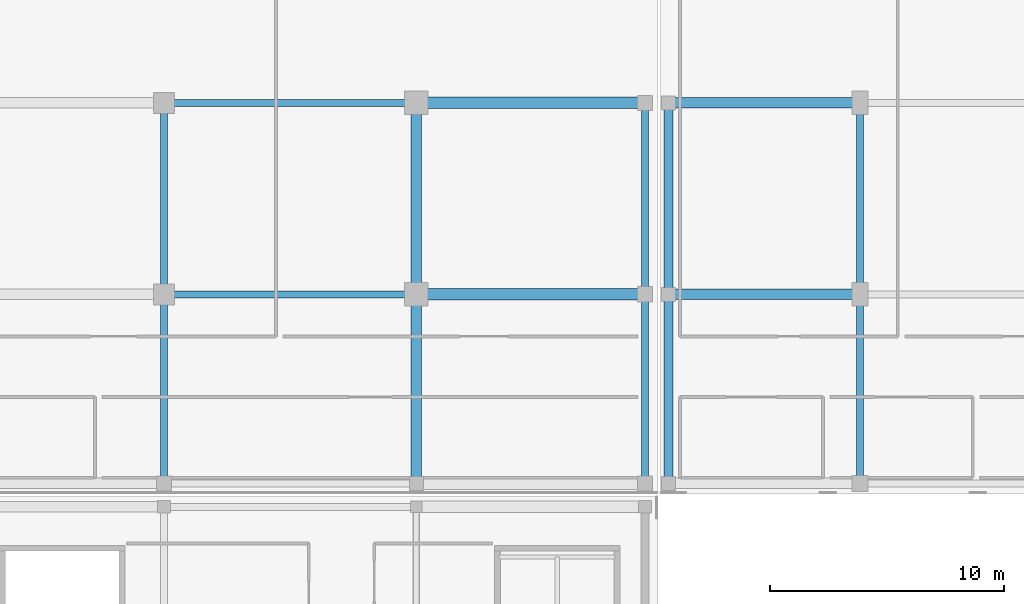
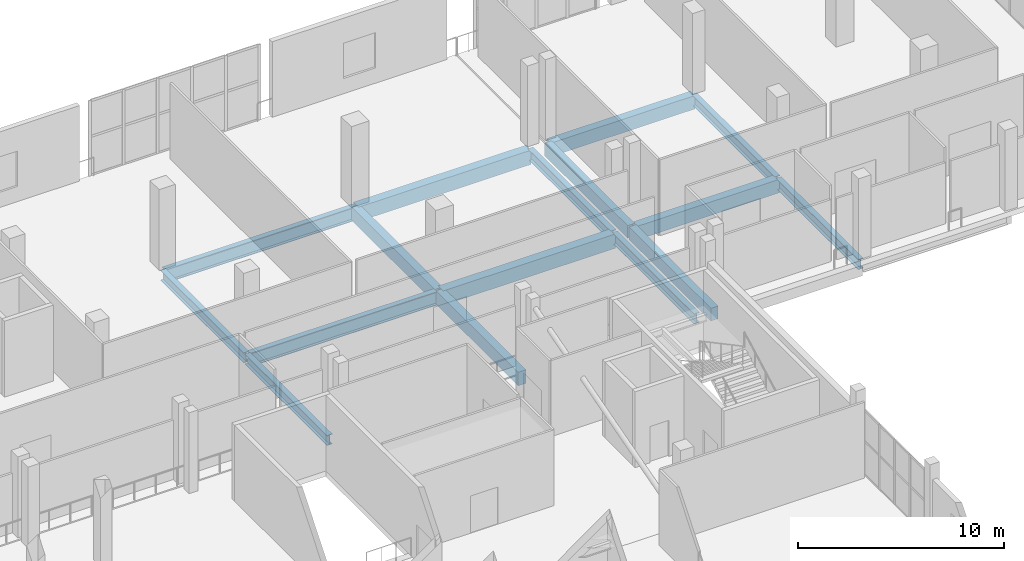
# One storey, part 56 of 129: 16 beams.
"""IFC4 building model written with IfcOpenShell, lengths in metres."""

import ifcopenshell
import ifcopenshell.guid

model = None  # the IFC model being written
_history = None  # IfcOwnerHistory: only IFC2X3 demands one
_inside = {}  # id of a spatial element -> (the spatial element, [elements in it])
_under = {}  # id of a project, library or spatial element -> (it, [spatial elements below it])
_declared = {}  # id of a project -> (the project, [libraries it declares])
_typed = {}  # id of a type object -> (the type object, [elements of that type])
_made_of = {}  # id of a material, layer set ... -> (it, [elements and type objects made of it])


def new_model(schema):
    """Start an empty IFC model of exactly this schema.

    Asked for "IFC4X3", IfcOpenShell would pick the latest addendum, in which some entities
    have other attributes; the version numbers below select the first issue.
    IFC2X3 requires an IfcOwnerHistory on every rooted entity: one is made here for all.
    """
    global model, _history
    if schema == "IFC4X3":
        model = ifcopenshell.file(schema_version=(4, 3, 0, 0))
    else:
        model = ifcopenshell.file(schema=schema)
    _inside.clear()
    _under.clear()
    _declared.clear()
    _typed.clear()
    _made_of.clear()
    _history = None
    if model.schema == "IFC2X3":
        org = make("IfcOrganization", Name="unknown")
        user = make(
            "IfcPersonAndOrganization",
            ThePerson=make("IfcPerson", FamilyName="unknown"),
            TheOrganization=org,
        )
        app = make(
            "IfcApplication",
            ApplicationDeveloper=org,
            Version="unknown",
            ApplicationFullName="unknown",
            ApplicationIdentifier="unknown",
        )
        _history = make(
            "IfcOwnerHistory",
            OwningUser=user,
            OwningApplication=app,
            ChangeAction="ADDED",
            CreationDate=0,
        )
    return model


def make(cls, **values):
    """One entity of the class cls with the attributes given. An attribute that is None is left unset."""
    return model.create_entity(
        cls, **{name: value for name, value in values.items() if value is not None}
    )


def rooted(cls, **values):
    """An entity with a GlobalId (a new one), such as an element, a storey or a relation."""
    return make(cls, GlobalId=ifcopenshell.guid.new(), OwnerHistory=_history, **values)


def si_unit(unit_type, name, prefix=None):
    """IfcSIUnit, for example si_unit("LENGTHUNIT", "METRE", prefix="MILLI")."""
    return make("IfcSIUnit", UnitType=unit_type, Prefix=prefix, Name=name)


def assignment(units):
    """IfcUnitAssignment: the units of a project."""
    return None if units is None else make("IfcUnitAssignment", Units=units)


def point(xyz):
    """IfcCartesianPoint."""
    return None if xyz is None else make("IfcCartesianPoint", Coordinates=xyz)


def direction(xyz):
    """IfcDirection."""
    return None if xyz is None else make("IfcDirection", DirectionRatios=xyz)


def frame(location, z_axis=None, x_axis=None):
    """IfcAxis2Placement3D, a coordinate frame: its origin and axes. An axis left out is left unset."""
    return make(
        "IfcAxis2Placement3D",
        Location=point(location),
        Axis=direction(z_axis),
        RefDirection=direction(x_axis),
    )


def frame_2d(location, x_axis=None):
    """IfcAxis2Placement2D, a coordinate frame in the plane: its origin and x axis."""
    return make(
        "IfcAxis2Placement2D", Location=point(location), RefDirection=direction(x_axis)
    )


def origin():
    """The frame at (0, 0, 0) with its axes left unset."""
    return frame((0.0, 0.0, 0.0))


def origin_2d():
    """The frame at (0, 0) in the plane with its x axis left unset."""
    return frame_2d((0.0, 0.0))


def place(relative_to, where):
    """IfcLocalPlacement: puts the frame where relative to a parent placement (None: the world)."""
    return make(
        "IfcLocalPlacement", PlacementRelTo=relative_to, RelativePlacement=where
    )


def context(
    kind, dimensions, precision=None, world=None, true_north=None, identifier=None
):
    """IfcGeometricRepresentationContext, for example the 3D "Model" context."""
    return make(
        "IfcGeometricRepresentationContext",
        ContextIdentifier=identifier,
        ContextType=kind,
        CoordinateSpaceDimension=dimensions,
        Precision=precision,
        WorldCoordinateSystem=world,
        TrueNorth=true_north,
    )


def subcontext(parent, identifier, kind, view, scale=None):
    """IfcGeometricRepresentationSubContext, for example "Body" below "Model"."""
    return make(
        "IfcGeometricRepresentationSubContext",
        ContextIdentifier=identifier,
        ContextType=kind,
        ParentContext=parent,
        TargetScale=scale,
        TargetView=view,
    )


def project(units=None, contexts=None):
    """IfcProject with its units and contexts."""
    return rooted(
        "IfcProject",
        Name="project",
        RepresentationContexts=contexts,
        UnitsInContext=assignment(units),
    )


def spatial(cls, under=None, at=None, **own):
    """A site, building, storey or space (cls), placed at a placement, below another one or the project."""
    s = rooted(cls, ObjectPlacement=at, **own)
    if under is not None:
        _under.setdefault(under.id(), (under, []))[1].append(s)
    return s


def profile(cls, at=None, kind="AREA", **sizes):
    """A parametric profile (cls). Its sizes go by their IFC names, for example OverallWidth=200.0."""
    return make(cls, ProfileType=kind, Position=at, **sizes)


def rectangle(**sizes):
    """IfcRectangleProfileDef."""
    return profile("IfcRectangleProfileDef", **sizes)


def i_section(**sizes):
    """IfcIShapeProfileDef."""
    return profile("IfcIShapeProfileDef", **sizes)


def extrude(swept, where, along, depth):
    """IfcExtrudedAreaSolid: the profile swept, set in the frame where, extruded along a direction by depth."""
    return make(
        "IfcExtrudedAreaSolid",
        SweptArea=swept,
        Position=where,
        ExtrudedDirection=direction(along),
        Depth=depth,
    )


def shape(context_of_items, identifier, shape_type, items):
    """IfcShapeRepresentation: the items that make up one representation, for example the "Body"."""
    return make(
        "IfcShapeRepresentation",
        ContextOfItems=context_of_items,
        RepresentationIdentifier=identifier,
        RepresentationType=shape_type,
        Items=items,
    )


def material(Name=None, Category=None):
    """IfcMaterial."""
    return make("IfcMaterial", Name=Name, Category=Category)


def material_profile(
    of_material, cross_section, Name=None, Category=None, Priority=None
):
    """IfcMaterialProfile: a cross section and its material."""
    return make(
        "IfcMaterialProfile",
        Name=Name,
        Material=of_material,
        Profile=cross_section,
        Priority=Priority,
        Category=Category,
    )


def profile_set(profiles, Name=None, composite=None):
    """IfcMaterialProfileSet."""
    return make(
        "IfcMaterialProfileSet",
        Name=Name,
        MaterialProfiles=profiles,
        CompositeProfile=composite,
    )


def made_of(thing, what):
    """Note that an element or type object is made of a material, layer set ...; save() writes the relation."""
    if what is not None:
        _made_of.setdefault(what.id(), (what, []))[1].append(thing)
    return thing


def type_object(cls, material=None, **own):
    """A type object (cls), such as IfcWallType, which elements share."""
    return made_of(rooted(cls, **own), material)


def element(
    cls,
    number,
    at=None,
    inside=None,
    cuts=None,
    type_object=None,
    material=None,
    context=None,
    identifier="Body",
    shape_type=None,
    held_by="IfcProductDefinitionShape",
    body=None,
    shapes=None,
    **own,
):
    """One element of the class cls, such as IfcWall. Its Tag is "e" and its number.

    at: its placement. inside: the storey or other place that contains it. cuts: it is an
    opening in that element (IfcRelVoidsElement). A single representation is given by context,
    identifier, shape_type and body (its items); several are given by shapes. held_by: the class
    of the entity that holds the representations. save() writes the other relations.
    """
    e = rooted(cls, Tag="e%d" % number, ObjectPlacement=at, **own)
    if body is not None:
        shapes = [shape(context, identifier, shape_type, body)]
    if shapes is not None:
        e.Representation = make(held_by, Representations=shapes)
    if inside is not None:
        _inside.setdefault(inside.id(), (inside, []))[1].append(e)
    if cuts is not None:
        rooted(
            "IfcRelVoidsElement", RelatingBuildingElement=cuts, RelatedOpeningElement=e
        )
    if type_object is not None:
        _typed.setdefault(type_object.id(), (type_object, []))[1].append(e)
    return made_of(e, material)


def aggregate(whole, parts):
    """IfcRelAggregates: a whole, such as a stair, and the parts it consists of."""
    return rooted("IfcRelAggregates", RelatingObject=whole, RelatedObjects=parts)


def save(model, path):
    """Write the relations noted so far, then the file.

    IfcRelAggregates (storeys below a building ...), IfcRelContainedInSpatialStructure (elements
    in a storey), IfcRelDefinesByType, IfcRelAssociatesMaterial and IfcRelDeclares: one each for
    every whole, place, type object, material and project.
    """
    for whole, parts in _under.values():
        aggregate(whole, parts)
    for where, things in _inside.values():
        rooted(
            "IfcRelContainedInSpatialStructure",
            RelatedElements=things,
            RelatingStructure=where,
        )
    for kind, things in _typed.values():
        rooted("IfcRelDefinesByType", RelatedObjects=things, RelatingType=kind)
    for what, things in _made_of.values():
        rooted("IfcRelAssociatesMaterial", RelatedObjects=things, RelatingMaterial=what)
    for by, libraries in _declared.values():
        rooted("IfcRelDeclares", RelatingContext=by, RelatedDefinitions=libraries)
    model.write(path)


model = new_model("IFC4")

# Units and contexts
model_context = context("Model", 3, precision=1e-05, world=origin(), true_north=direction((0.0, 1.0)))
body_context = subcontext(model_context, "Body", "Model", "MODEL_VIEW")
ifc_project = project(units=[si_unit("LENGTHUNIT", "METRE"), si_unit("AREAUNIT", "SQUARE_METRE"), si_unit("VOLUMEUNIT", "CUBIC_METRE"), si_unit("PLANEANGLEUNIT", "RADIAN"), si_unit("MASSUNIT", "GRAM", prefix="KILO")], contexts=[model_context])

# Site, building, storey
site_placement = place(None, origin())
site = spatial("IfcSite", under=ifc_project, at=site_placement, CompositionType="ELEMENT")
building_placement = place(site_placement, origin())
building = spatial("IfcBuilding", under=site, at=building_placement, Name="Koshinbarg Plaza Stadium", CompositionType="ELEMENT")
storey_placement = place(building_placement, frame((0.0, 0.0, 5.39990234375)))
storey = spatial("IfcBuildingStorey", under=building, at=storey_placement, Name="L01", CompositionType="ELEMENT", Elevation=5.39990234375)

# Beams
ifc_material_1 = material(Name="Concrete C40/50", Category="concrete")
ifc_material_profile_1 = material_profile(ifc_material_1, rectangle(XDim=0.39990234375, YDim=0.75, at=origin_2d()), Name="RC 400x750")
ifc_profile_set_1 = profile_set([ifc_material_profile_1], Name="Concrete C40/50")
beam_type_1 = type_object("IfcBeamType", Name="BM-RCG-03", PredefinedType="USERDEFINED", material=ifc_profile_set_1)
beam_1_placement = place(storey_placement, frame((219.39990234375, 127.56005859375, -0.69482421875), z_axis=(0.0, 1.0, 0.0), x_axis=(-1.0, 0.0, 0.0)))
element("IfcBeam", 1, at=beam_1_placement, inside=storey, type_object=beam_type_1, Name="L01 Y girder 22/S-T", ObjectType="GIRDER", PredefinedType="USERDEFINED", context=body_context, shape_type="SweptSolid", body=[
    extrude(rectangle(XDim=0.39990234375, YDim=0.75, at=origin_2d()), origin(), (0.0, 0.0, 1.0), 7.97998046875),
])
beam_2_placement = place(storey_placement, frame((219.39990234375, 135.659912109375, -0.69482421875), z_axis=(0.0, 1.0, 0.0), x_axis=(-1.0, 0.0, 0.0)))
element("IfcBeam", 2, at=beam_2_placement, inside=storey, type_object=beam_type_1, Name="L01 Y girder 22/T-U", ObjectType="GIRDER", PredefinedType="USERDEFINED", context=body_context, shape_type="SweptSolid", body=[
    extrude(rectangle(XDim=0.39990234375, YDim=0.75, at=origin_2d()), origin(), (0.0, 0.0, 1.0), 8.080078125),
])
ifc_material_profile_2 = material_profile(ifc_material_1, rectangle(XDim=0.449951171875, YDim=0.800048828125, at=origin_2d()), Name="RC 450x800")
ifc_profile_set_2 = profile_set([ifc_material_profile_2], Name="Concrete C40/50")
beam_type_2 = type_object("IfcBeamType", Name="BM-RCG-04", PredefinedType="USERDEFINED", material=ifc_profile_set_2)
for number, where, z_axis, x_axis, name in (
    (3, (219.4599609375, 135.60009765625, -0.719970703125), (1.0, 0.0, 0.0), (0.0, 1.0, 0.0), "L01 X girder T/22-23"),
    (4, (219.4599609375, 143.800048828125, -0.719970703125), (1.0, 0.0, 0.0), (0.0, 1.0, 0.0), "L01 X girder U/22-23"),
):
    element("IfcBeam", number, at=place(storey_placement, frame(where, z_axis=z_axis, x_axis=x_axis)), inside=storey, type_object=beam_type_2, Name=name, ObjectType="GIRDER", PredefinedType="USERDEFINED", context=body_context, shape_type="SweptSolid", body=[
        extrude(rectangle(XDim=0.449951171875, YDim=0.800048828125, at=origin_2d()), origin(), (0.0, 0.0, 1.0), 8.080078125),
    ])
beam_3_placement = place(storey_placement, frame((208.60009765625, 127.56005859375, -0.719970703125), z_axis=(0.0, 1.0, 0.0), x_axis=(-1.0, 0.0, 0.0)))
element("IfcBeam", 5, at=beam_3_placement, inside=storey, type_object=beam_type_2, Name="L01 Y girder 20/S-T", ObjectType="GIRDER", PredefinedType="USERDEFINED", context=body_context, shape_type="SweptSolid", body=[
    extrude(rectangle(XDim=0.449951171875, YDim=0.800048828125, at=origin_2d()), origin(), (0.0, 0.0, 1.0), 7.97998046875),
])
beam_4_placement = place(storey_placement, frame((208.60009765625, 135.659912109375, -0.719970703125), z_axis=(0.0, 1.0, 0.0), x_axis=(-1.0, 0.0, 0.0)))
element("IfcBeam", 6, at=beam_4_placement, inside=storey, type_object=beam_type_2, Name="L01 Y girder 20/T-U", ObjectType="GIRDER", PredefinedType="USERDEFINED", context=body_context, shape_type="SweptSolid", body=[
    extrude(rectangle(XDim=0.449951171875, YDim=0.800048828125, at=origin_2d()), origin(), (0.0, 0.0, 1.0), 8.080078125),
])
ifc_material_profile_3 = material_profile(ifc_material_1, rectangle(XDim=0.5, YDim=0.85009765625, at=origin_2d()), Name="RC 500x850")
ifc_profile_set_3 = profile_set([ifc_material_profile_3], Name="Concrete C40/50")
beam_type_3 = type_object("IfcBeamType", Name="BM-RCG-05", PredefinedType="USERDEFINED", material=ifc_profile_set_3)
for number, where, z_axis, x_axis, name in (
    (7, (208.659912109375, 135.60009765625, -0.744873046875), (1.0, 0.0, 0.0), (0.0, 1.0, 0.0), "L01 X girder T/20-21"),
    (8, (208.659912109375, 143.800048828125, -0.744873046875), (1.0, 0.0, 0.0), (0.0, 1.0, 0.0), "L01 X girder U/20-21"),
):
    element("IfcBeam", number, at=place(storey_placement, frame(where, z_axis=z_axis, x_axis=x_axis)), inside=storey, type_object=beam_type_3, Name=name, ObjectType="GIRDER", PredefinedType="USERDEFINED", context=body_context, shape_type="SweptSolid", body=[
        extrude(rectangle(XDim=0.5, YDim=0.85009765625, at=origin_2d()), origin(), (0.0, 0.0, 1.0), 9.68017578125),
    ])
ifc_material_2 = material(Name="Steel S355", Category="steel")
ifc_material_profile_4 = material_profile(ifc_material_2, i_section(OverallWidth=0.300048828125, OverallDepth=0.60009765625, WebThickness=0.015380859375, FlangeThickness=0.030029296875, at=origin_2d()), Name="HEB 600")
ifc_profile_set_4 = profile_set([ifc_material_profile_4], Name="Steel S355")
beam_type_4 = type_object("IfcBeamType", Name="BM-SGIR-02", PredefinedType="USERDEFINED", material=ifc_profile_set_4)
beam_5_placement = place(storey_placement, frame((197.800048828125, 127.56005859375, -0.619873046875), z_axis=(0.0, 1.0, 0.0), x_axis=(-1.0, 0.0, 0.0)))
element("IfcBeam", 9, at=beam_5_placement, inside=storey, type_object=beam_type_4, Name="L01 Y girder 19/S-T", ObjectType="GIRDER", PredefinedType="USERDEFINED", context=body_context, shape_type="SweptSolid", body=[
    extrude(i_section(OverallWidth=0.300048828125, OverallDepth=0.60009765625, WebThickness=0.015380859375, FlangeThickness=0.030029296875, at=origin_2d()), origin(), (0.0, 0.0, 1.0), 7.97998046875),
])
beam_6_placement = place(storey_placement, frame((197.800048828125, 135.659912109375, -0.619873046875), z_axis=(0.0, 1.0, 0.0), x_axis=(-1.0, 0.0, 0.0)))
element("IfcBeam", 10, at=beam_6_placement, inside=storey, type_object=beam_type_4, Name="L01 Y girder 19/T-U", ObjectType="GIRDER", PredefinedType="USERDEFINED", context=body_context, shape_type="SweptSolid", body=[
    extrude(i_section(OverallWidth=0.300048828125, OverallDepth=0.60009765625, WebThickness=0.015380859375, FlangeThickness=0.030029296875, at=origin_2d()), origin(), (0.0, 0.0, 1.0), 8.080078125),
])
beam_7_placement = place(storey_placement, frame((218.39990234375, 127.56005859375, -0.619873046875), z_axis=(0.0, 1.0, 0.0), x_axis=(-1.0, 0.0, 0.0)))
element("IfcBeam", 11, at=beam_7_placement, inside=storey, type_object=beam_type_4, Name="L01 Y girder 21/S-T", ObjectType="GIRDER", PredefinedType="USERDEFINED", context=body_context, shape_type="SweptSolid", body=[
    extrude(i_section(OverallWidth=0.300048828125, OverallDepth=0.60009765625, WebThickness=0.015380859375, FlangeThickness=0.030029296875, at=origin_2d()), origin(), (0.0, 0.0, 1.0), 7.97998046875),
])
beam_8_placement = place(storey_placement, frame((218.39990234375, 135.659912109375, -0.619873046875), z_axis=(0.0, 1.0, 0.0), x_axis=(-1.0, 0.0, 0.0)))
element("IfcBeam", 12, at=beam_8_placement, inside=storey, type_object=beam_type_4, Name="L01 Y girder 21/T-U", ObjectType="GIRDER", PredefinedType="USERDEFINED", context=body_context, shape_type="SweptSolid", body=[
    extrude(i_section(OverallWidth=0.300048828125, OverallDepth=0.60009765625, WebThickness=0.015380859375, FlangeThickness=0.030029296875, at=origin_2d()), origin(), (0.0, 0.0, 1.0), 8.080078125),
])
beam_9_placement = place(storey_placement, frame((227.60009765625, 127.56005859375, -0.619873046875), z_axis=(0.0, 1.0, 0.0), x_axis=(-1.0, 0.0, 0.0)))
element("IfcBeam", 13, at=beam_9_placement, inside=storey, type_object=beam_type_4, Name="L01 Y girder 23/S-T", ObjectType="GIRDER", PredefinedType="USERDEFINED", context=body_context, shape_type="SweptSolid", body=[
    extrude(i_section(OverallWidth=0.300048828125, OverallDepth=0.60009765625, WebThickness=0.015380859375, FlangeThickness=0.030029296875, at=origin_2d()), origin(), (0.0, 0.0, 1.0), 7.97998046875),
])
beam_10_placement = place(storey_placement, frame((227.60009765625, 135.659912109375, -0.619873046875), z_axis=(0.0, 1.0, 0.0), x_axis=(-1.0, 0.0, 0.0)))
element("IfcBeam", 14, at=beam_10_placement, inside=storey, type_object=beam_type_4, Name="L01 Y girder 23/T-U", ObjectType="GIRDER", PredefinedType="USERDEFINED", context=body_context, shape_type="SweptSolid", body=[
    extrude(i_section(OverallWidth=0.300048828125, OverallDepth=0.60009765625, WebThickness=0.015380859375, FlangeThickness=0.030029296875, at=origin_2d()), origin(), (0.0, 0.0, 1.0), 8.080078125),
])
ifc_material_profile_5 = material_profile(ifc_material_2, i_section(OverallWidth=0.300048828125, OverallDepth=0.800048828125, WebThickness=0.017578125, FlangeThickness=0.032958984375, at=origin_2d()), Name="HEB 800")
ifc_profile_set_5 = profile_set([ifc_material_profile_5], Name="Steel S355")
beam_type_5 = type_object("IfcBeamType", Name="BM-SGIR-04", PredefinedType="USERDEFINED", material=ifc_profile_set_5)
for number, where, z_axis, x_axis, name in (
    (15, (197.860107421875, 135.60009765625, -0.719970703125), (1.0, 0.0, 0.0), (0.0, 1.0, 0.0), "L01 X girder T/19-20"),
    (16, (197.860107421875, 143.800048828125, -0.719970703125), (1.0, 0.0, 0.0), (0.0, 1.0, 0.0), "L01 X girder U/19-20"),
):
    element("IfcBeam", number, at=place(storey_placement, frame(where, z_axis=z_axis, x_axis=x_axis)), inside=storey, type_object=beam_type_5, Name=name, ObjectType="GIRDER", PredefinedType="USERDEFINED", context=body_context, shape_type="SweptSolid", body=[
        extrude(i_section(OverallWidth=0.300048828125, OverallDepth=0.800048828125, WebThickness=0.017578125, FlangeThickness=0.032958984375, at=origin_2d()), origin(), (0.0, 0.0, 1.0), 10.679931640625),
    ])

save(model, "model.ifc")
